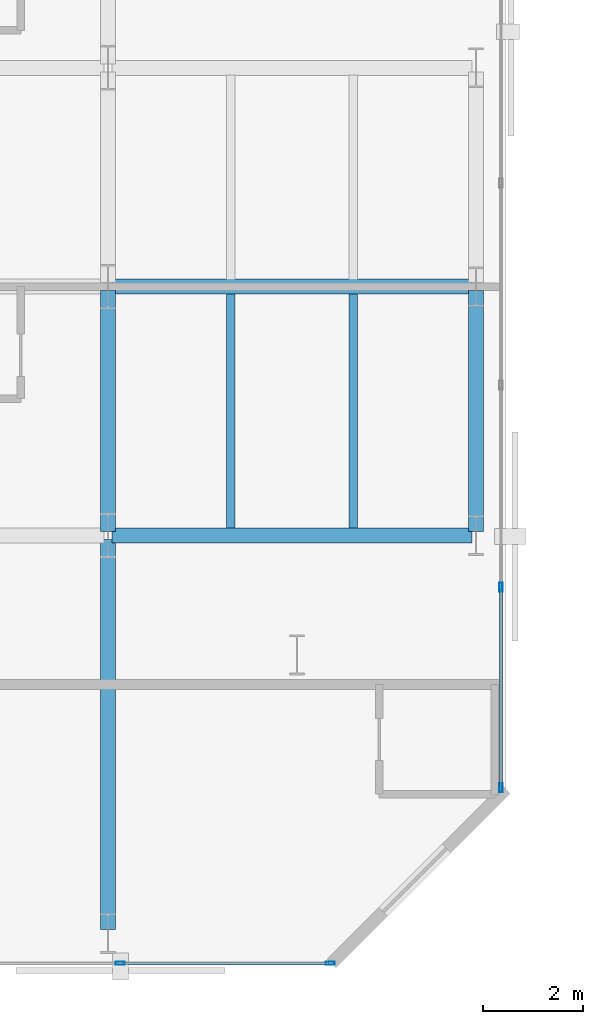
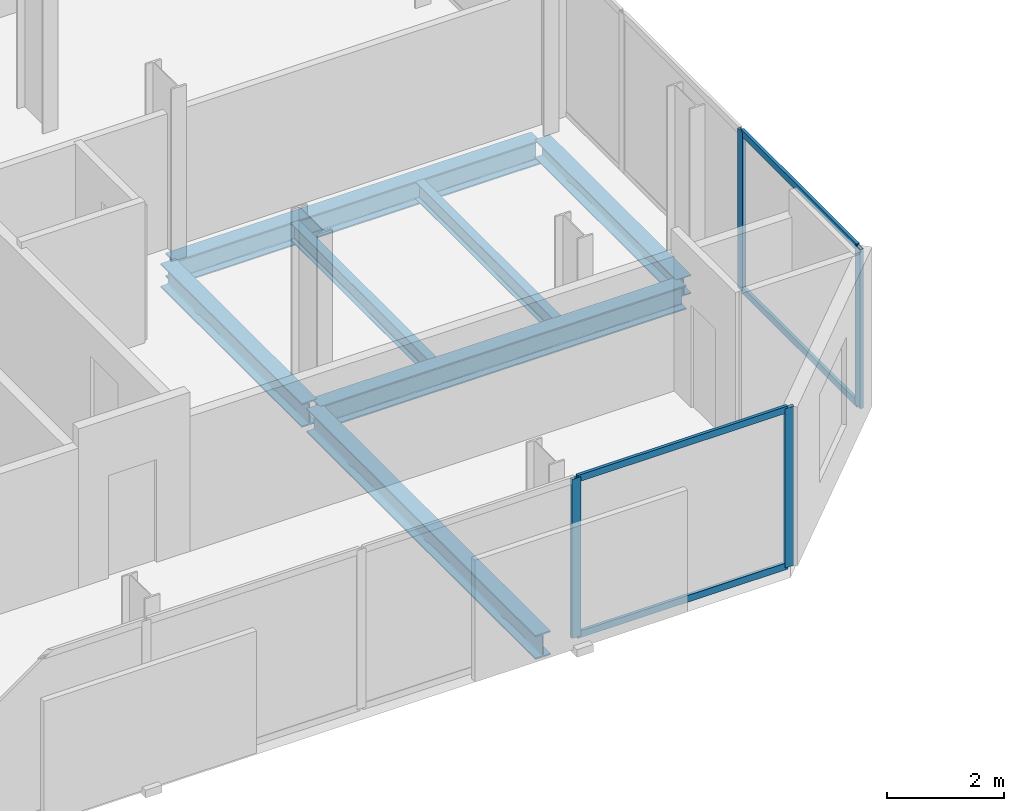
# One storey, part 7 of 33: 8 members, 7 beams, 2 elements without a shape of their own.
"""IFC4 building model written with IfcOpenShell, lengths in metres."""

from ifc_helpers import new_model, si_unit, direction, frame, origin, origin_2d, place, context, subcontext, project, spatial, hollow_rectangle, i_section, extrude, material, layer, layer_set, material_profile, profile_set, type_object, element, aggregate, save


model = new_model("IFC4")

# Units and contexts
model_context = context("Model", 3, precision=1e-05, world=origin(), true_north=direction((0.0, 1.0)))
body_context = subcontext(model_context, "Body", "Model", "MODEL_VIEW")
ifc_project = project(units=[si_unit("LENGTHUNIT", "METRE"), si_unit("AREAUNIT", "SQUARE_METRE"), si_unit("VOLUMEUNIT", "CUBIC_METRE"), si_unit("PLANEANGLEUNIT", "RADIAN"), si_unit("MASSUNIT", "GRAM", prefix="KILO")], contexts=[model_context])

# Site, building, storey
site_placement = place(None, origin())
site = spatial("IfcSite", under=ifc_project, at=site_placement, CompositionType="ELEMENT")
building_placement = place(site_placement, origin())
building = spatial("IfcBuilding", under=site, at=building_placement, Name="Catumbela Crestline Tower", CompositionType="ELEMENT")
storey_placement = place(building_placement, frame((0.0, 0.0, 58.2)))
storey = spatial("IfcBuildingStorey", under=building, at=storey_placement, Name="L14", CompositionType="ELEMENT", Elevation=58.2)

# Beams
ifc_material_1 = material(Name="Structural steel S355J2", Category="steel")
ifc_material_profile_1 = material_profile(ifc_material_1, i_section(OverallWidth=0.3, OverallDepth=0.5, WebThickness=0.0145, FlangeThickness=0.028, FilletRadius=0.027, at=origin_2d()), Name="HEB 500")
ifc_profile_set_1 = profile_set([ifc_material_profile_1], Name="Structural steel S355J2")
beam_type_1 = type_object("IfcBeamType", Name="BG-HEB500", PredefinedType="BEAM", material=ifc_profile_set_1)
for number, where, z_axis, x_axis, name in (
    (1, (16.08, 8.6, -0.51), (1.0, 0.0, 0.0), (0.0, 1.0, 0.0), "L14 Beam BM-L14-WEW50"),
    (2, (16.08, 13.6, -0.51), (1.0, 0.0, 0.0), (0.0, 1.0, 0.0), "L14 Beam BM-L14-WEW53"),
):
    element("IfcBeam", number, at=place(storey_placement, frame(where, z_axis=z_axis, x_axis=x_axis)), inside=storey, type_object=beam_type_1, Name=name, PredefinedType="BEAM", context=body_context, shape_type="SweptSolid", body=[
        extrude(i_section(OverallWidth=0.3, OverallDepth=0.5, WebThickness=0.0145, FlangeThickness=0.028, FilletRadius=0.027, at=origin_2d()), origin(), (0.0, 0.0, 1.0), 7.24),
    ])
beam_1_placement = place(storey_placement, frame((16.0, 0.68, -0.51), z_axis=(0.0, 1.0, 0.0), x_axis=(-1.0, 0.0, 0.0)))
element("IfcBeam", 3, at=beam_1_placement, inside=storey, type_object=beam_type_1, Name="L14 Beam BM-L14-WNS64", PredefinedType="BEAM", context=body_context, shape_type="SweptSolid", body=[
    extrude(i_section(OverallWidth=0.3, OverallDepth=0.5, WebThickness=0.0145, FlangeThickness=0.028, FilletRadius=0.027, at=origin_2d()), origin(), (0.0, 0.0, 1.0), 7.84),
])
beam_2_placement = place(storey_placement, frame((16.0, 8.68, -0.51), z_axis=(0.0, 1.0, 0.0), x_axis=(-1.0, 0.0, 0.0)))
element("IfcBeam", 4, at=beam_2_placement, inside=storey, type_object=beam_type_1, Name="L14 Beam BM-L14-WNS65", PredefinedType="BEAM", context=body_context, shape_type="SweptSolid", body=[
    extrude(i_section(OverallWidth=0.3, OverallDepth=0.5, WebThickness=0.0145, FlangeThickness=0.028, FilletRadius=0.027, at=origin_2d()), origin(), (0.0, 0.0, 1.0), 4.84),
])
ifc_material_profile_2 = material_profile(ifc_material_1, i_section(OverallWidth=0.17, OverallDepth=0.36, WebThickness=0.008, FlangeThickness=0.0127, FilletRadius=0.018, at=origin_2d()), Name="IPE 360")
ifc_profile_set_2 = profile_set([ifc_material_profile_2], Name="Structural steel S355J2")
beam_type_2 = type_object("IfcBeamType", Name="BJ-IPE360", PredefinedType="JOIST", material=ifc_profile_set_2)
for number, where, z_axis, x_axis, name in (
    (5, (18.467, 8.747, -0.44), (0.0, 1.0, 0.0), (-1.0, 0.0, 0.0), "L14 Joist JS-L14-WG74"),
    (6, (20.933, 8.747, -0.44), (0.0, 1.0, 0.0), (-1.0, 0.0, 0.0), "L14 Joist JS-L14-WG75"),
):
    element("IfcBeam", number, at=place(storey_placement, frame(where, z_axis=z_axis, x_axis=x_axis)), inside=storey, type_object=beam_type_2, Name=name, PredefinedType="JOIST", context=body_context, shape_type="SweptSolid", body=[
        extrude(i_section(OverallWidth=0.17, OverallDepth=0.36, WebThickness=0.008, FlangeThickness=0.0127, FilletRadius=0.018, at=origin_2d()), origin(), (0.0, 0.0, 1.0), 4.706),
    ])

# Curtain wall, members
ifc_material_2 = material(Name="Aluminium alloy AW-6060-T66", Category="aluminium")
ifc_layer = layer(ifc_material_2, 0.18, Name="Aluminium alloy AW-6060-T66")
ifc_layer_set = layer_set([ifc_layer], Name="Aluminium alloy AW-6060-T66")
curtain_wall_type = type_object("IfcCurtainWallType", Name="CWU-Z1", PredefinedType="USERDEFINED", material=ifc_layer_set)
curtain_wall_1_placement = place(storey_placement, origin())
curtain_wall_1 = element("IfcCurtainWall", 7, at=curtain_wall_1_placement, inside=storey, type_object=curtain_wall_type, Name="L14 Unitised Curtain Wall CW-L14-E0S1", ObjectType="UNITISED", PredefinedType="USERDEFINED")
ifc_material_profile_3 = material_profile(ifc_material_2, hollow_rectangle(XDim=0.065, YDim=0.18, WallThickness=0.004, at=origin_2d()), Name="ALU 180x65x4")
ifc_profile_set_3 = profile_set([ifc_material_profile_3], Name="Aluminium alloy AW-6060-T66")
member_type_1 = type_object("IfcMemberType", Name="MUL-180X65", PredefinedType="MULLION", material=ifc_profile_set_3)
member_1_placement = place(storey_placement, frame((16.25, 0.0, 0.0), z_axis=(0.0, 0.0, 1.0), x_axis=(0.0, 1.0, 0.0)))
member_1 = element("IfcMember", 8, at=member_1_placement, type_object=member_type_1, Name="CWU-Z1 mullion 4", PredefinedType="MULLION", context=body_context, shape_type="SweptSolid", body=[
    extrude(hollow_rectangle(XDim=0.065, YDim=0.18, WallThickness=0.004, at=origin_2d()), origin(), (0.0, 0.0, 1.0), 3.33),
])
member_2_placement = place(storey_placement, frame((20.4675, 0.0, 0.0), z_axis=(0.0, 0.0, 1.0), x_axis=(0.0, 1.0, 0.0)))
member_2 = element("IfcMember", 9, at=member_2_placement, type_object=member_type_1, Name="CWU-Z1 mullion 5", PredefinedType="MULLION", context=body_context, shape_type="SweptSolid", body=[
    extrude(hollow_rectangle(XDim=0.065, YDim=0.18, WallThickness=0.004, at=origin_2d()), origin(), (0.0, 0.0, 1.0), 3.33),
])

curtain_wall_2_placement = place(storey_placement, origin())
curtain_wall_2 = element("IfcCurtainWall", 10, at=curtain_wall_2_placement, inside=storey, type_object=curtain_wall_type, Name="L14 Unitised Curtain Wall CW-L14-E2S1", ObjectType="UNITISED", PredefinedType="USERDEFINED")
member_3_placement = place(storey_placement, frame((23.9, 3.5325, 0.0), z_axis=(0.0, 0.0, 1.0), x_axis=(-1.0, 0.0, 0.0)))
member_3 = element("IfcMember", 11, at=member_3_placement, type_object=member_type_1, Name="CWU-Z1 mullion 1", PredefinedType="MULLION", context=body_context, shape_type="SweptSolid", body=[
    extrude(hollow_rectangle(XDim=0.065, YDim=0.18, WallThickness=0.004, at=origin_2d()), origin(), (0.0, 0.0, 1.0), 3.33),
])
member_4_placement = place(storey_placement, frame((23.9, 7.56, 0.0), z_axis=(0.0, 0.0, 1.0), x_axis=(-1.0, 0.0, 0.0)))
member_4 = element("IfcMember", 12, at=member_4_placement, type_object=member_type_1, Name="CWU-Z1 mullion 2", PredefinedType="MULLION", context=body_context, shape_type="SweptSolid", body=[
    extrude(hollow_rectangle(XDim=0.065, YDim=0.18, WallThickness=0.004, at=origin_2d()), origin(), (0.0, 0.0, 1.0), 3.33),
])

# Beam
ifc_material_profile_4 = material_profile(ifc_material_1, i_section(OverallWidth=0.3, OverallDepth=0.39, WebThickness=0.011, FlangeThickness=0.019, FilletRadius=0.027, at=origin_2d()), Name="HEA 400")
ifc_profile_set_4 = profile_set([ifc_material_profile_4], Name="Structural steel S355J2")
beam_type_3 = type_object("IfcBeamType", Name="BS-HEA400", PredefinedType="SPANDREL", material=ifc_profile_set_4)
beam_3_placement = place(storey_placement, frame((23.4, 8.68, -0.455), z_axis=(0.0, 1.0, 0.0), x_axis=(-1.0, 0.0, 0.0)))
element("IfcBeam", 13, at=beam_3_placement, inside=storey, type_object=beam_type_3, Name="L14 Spandrel SP-L14-WNS68", PredefinedType="SPANDREL", context=body_context, shape_type="SweptSolid", body=[
    extrude(i_section(OverallWidth=0.3, OverallDepth=0.39, WebThickness=0.011, FlangeThickness=0.019, FilletRadius=0.027, at=origin_2d()), origin(), (0.0, 0.0, 1.0), 4.84),
])

# Member
ifc_material_profile_5 = material_profile(ifc_material_2, hollow_rectangle(XDim=0.06, YDim=0.14, WallThickness=0.004, at=origin_2d()), Name="ALU 140x60x4")
ifc_profile_set_5 = profile_set([ifc_material_profile_5], Name="Aluminium alloy AW-6060-T66")
member_type_2 = type_object("IfcMemberType", Name="TRN-140X60", PredefinedType="USERDEFINED", material=ifc_profile_set_5)
member_5_placement = place(storey_placement, frame((16.2825, 0.0, 0.03), z_axis=(1.0, 0.0, 0.0), x_axis=(0.0, 1.0, 0.0)))
member_5 = element("IfcMember", 14, at=member_5_placement, type_object=member_type_2, Name="CWU-Z1 transom 4.1", ObjectType="TRANSOM", PredefinedType="USERDEFINED", context=body_context, shape_type="SweptSolid", body=[
    extrude(hollow_rectangle(XDim=0.06, YDim=0.14, WallThickness=0.004, at=origin_2d()), origin(), (0.0, 0.0, 1.0), 4.1525),
])

member_6_placement = place(storey_placement, frame((16.2825, 0.0, 3.3), z_axis=(1.0, 0.0, 0.0), x_axis=(0.0, 1.0, 0.0)))
member_6 = element("IfcMember", 15, at=member_6_placement, type_object=member_type_2, Name="CWU-Z1 transom 4.2", ObjectType="TRANSOM", PredefinedType="USERDEFINED", context=body_context, shape_type="SweptSolid", body=[
    extrude(hollow_rectangle(XDim=0.06, YDim=0.14, WallThickness=0.004, at=origin_2d()), origin(), (0.0, 0.0, 1.0), 4.1525),
])

aggregate(curtain_wall_1, [member_1, member_2, member_5, member_6])

member_7_placement = place(storey_placement, frame((23.9, 3.565, 0.03), z_axis=(0.0, 1.0, 0.0), x_axis=(-1.0, 0.0, 0.0)))
member_7 = element("IfcMember", 16, at=member_7_placement, type_object=member_type_2, Name="CWU-Z1 transom 1.1", ObjectType="TRANSOM", PredefinedType="USERDEFINED", context=body_context, shape_type="SweptSolid", body=[
    extrude(hollow_rectangle(XDim=0.06, YDim=0.14, WallThickness=0.004, at=origin_2d()), origin(), (0.0, 0.0, 1.0), 3.9625),
])

member_8_placement = place(storey_placement, frame((23.9, 3.565, 3.3), z_axis=(0.0, 1.0, 0.0), x_axis=(-1.0, 0.0, 0.0)))
member_8 = element("IfcMember", 17, at=member_8_placement, type_object=member_type_2, Name="CWU-Z1 transom 1.2", ObjectType="TRANSOM", PredefinedType="USERDEFINED", context=body_context, shape_type="SweptSolid", body=[
    extrude(hollow_rectangle(XDim=0.06, YDim=0.14, WallThickness=0.004, at=origin_2d()), origin(), (0.0, 0.0, 1.0), 3.9625),
])

aggregate(curtain_wall_2, [member_3, member_4, member_7, member_8])

save(model, "model.ifc")
